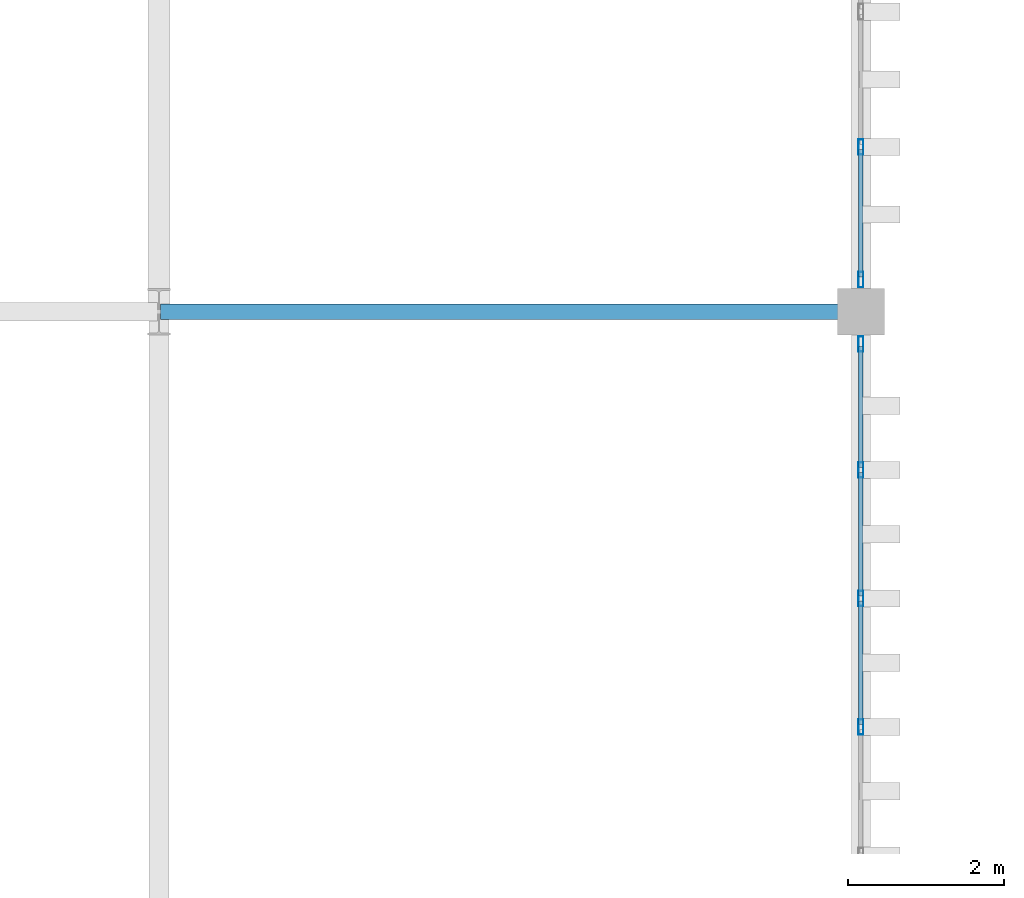
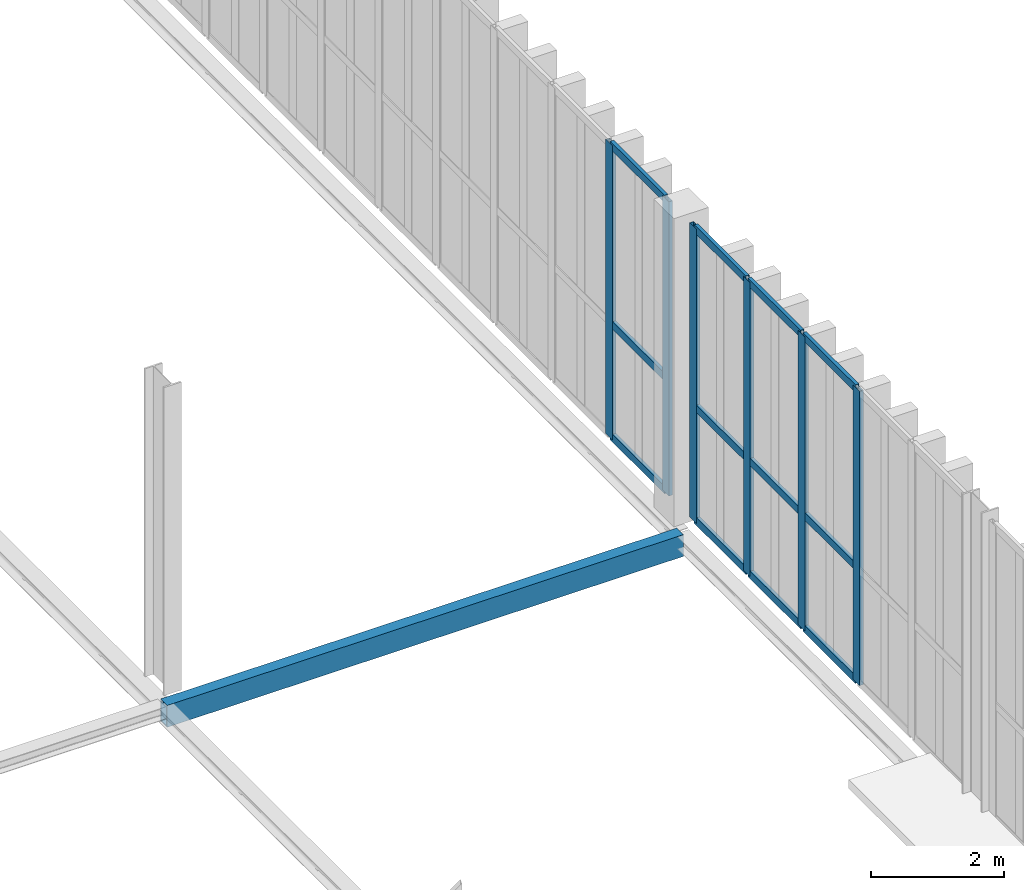
# One storey, part 107 of 237: 18 members, 1 beam, 2 elements without a shape of their own.
"""IFC4 building model written with IfcOpenShell, lengths in metres."""

from ifc_helpers import new_model, si_unit, direction, frame, origin, origin_2d, place, context, subcontext, project, spatial, hollow_rectangle, extrude, material, layer, layer_set, material_profile, profile_set, type_object, element, aggregate, save


model = new_model("IFC4")

# Units and contexts
model_context = context("Model", 3, precision=1e-05, world=origin(), true_north=direction((0.0, 1.0)))
body_context = subcontext(model_context, "Body", "Model", "MODEL_VIEW")
ifc_project = project(units=[si_unit("LENGTHUNIT", "METRE"), si_unit("AREAUNIT", "SQUARE_METRE"), si_unit("VOLUMEUNIT", "CUBIC_METRE"), si_unit("PLANEANGLEUNIT", "RADIAN"), si_unit("MASSUNIT", "GRAM", prefix="KILO")], contexts=[model_context])

# Site, building, storey
site_placement = place(None, origin())
site = spatial("IfcSite", under=ifc_project, at=site_placement, CompositionType="ELEMENT")
building_placement = place(site_placement, origin())
building = spatial("IfcBuilding", under=site, at=building_placement, Name="Barlavento Convention Centre", CompositionType="ELEMENT")
storey_placement = place(building_placement, frame((0.0, 0.0, 12.0)))
storey = spatial("IfcBuildingStorey", under=building, at=storey_placement, Name="L02", CompositionType="ELEMENT", Elevation=12.0)

# Curtain wall, members
ifc_material_1 = material(Name="Powder-coated aluminium and Low-E glass", Category="aluminium")
ifc_layer = layer(ifc_material_1, 0.18505859375)
ifc_layer_set = layer_set([ifc_layer], Name="ARC-CW-EXH-L02")
curtain_wall_type = type_object("IfcCurtainWallType", Name="ARC-CW-EXH-L02", PredefinedType="NOTDEFINED", material=ifc_layer_set)
curtain_wall_1_placement = place(storey_placement, origin())
curtain_wall_1 = element("IfcCurtainWall", 1, at=curtain_wall_1_placement, inside=storey, type_object=curtain_wall_type, Name="L02 unitised curtain wall CW05", PredefinedType="NOTDEFINED")
ifc_material_2 = material(Name="Powder-coated aluminium", Category="aluminium")
ifc_material_profile_1 = material_profile(ifc_material_2, hollow_rectangle(XDim=0.06494140625, YDim=0.199951171875, WallThickness=0.0048828125, at=origin_2d()), Name="AL-MULL 65x200x5")
ifc_profile_set_1 = profile_set([ifc_material_profile_1], Name="Powder-coated aluminium")
member_type_1 = type_object("IfcMemberType", Name="ARC-CWM-65X200", PredefinedType="MULLION", material=ifc_profile_set_1)
member_1_placement = place(storey_placement, frame((126.0, 111.676025390625, 0.10009765625), z_axis=(0.0, 0.0, 1.0), x_axis=(-1.0, 0.0, 0.0)))
member_1 = element("IfcMember", 2, at=member_1_placement, type_object=member_type_1, Name="CW05 mullion 3", PredefinedType="MULLION", context=body_context, shape_type="SweptSolid", body=[
    extrude(hollow_rectangle(XDim=0.06494140625, YDim=0.199951171875, WallThickness=0.0048828125, at=origin_2d()), origin(), (0.0, 0.0, 1.0), 5.39990234375),
])
member_2_placement = place(storey_placement, frame((126.0, 113.323974609375, 0.10009765625), z_axis=(0.0, 0.0, 1.0), x_axis=(-1.0, 0.0, 0.0)))
member_2 = element("IfcMember", 3, at=member_2_placement, type_object=member_type_1, Name="CW05 mullion 4", PredefinedType="MULLION", context=body_context, shape_type="SweptSolid", body=[
    extrude(hollow_rectangle(XDim=0.06494140625, YDim=0.199951171875, WallThickness=0.0048828125, at=origin_2d()), origin(), (0.0, 0.0, 1.0), 5.39990234375),
])
member_3_placement = place(storey_placement, frame((126.0, 114.971923828125, 0.10009765625), z_axis=(0.0, 0.0, 1.0), x_axis=(-1.0, 0.0, 0.0)))
member_3 = element("IfcMember", 4, at=member_3_placement, type_object=member_type_1, Name="CW05 mullion 5", PredefinedType="MULLION", context=body_context, shape_type="SweptSolid", body=[
    extrude(hollow_rectangle(XDim=0.06494140625, YDim=0.199951171875, WallThickness=0.0048828125, at=origin_2d()), origin(), (0.0, 0.0, 1.0), 5.39990234375),
])
member_4_placement = place(storey_placement, frame((126.0, 116.58740234375, 0.10009765625), z_axis=(0.0, 0.0, 1.0), x_axis=(-1.0, 0.0, 0.0)))
member_4 = element("IfcMember", 5, at=member_4_placement, type_object=member_type_1, Name="CW05 mullion 6", PredefinedType="MULLION", context=body_context, shape_type="SweptSolid", body=[
    extrude(hollow_rectangle(XDim=0.06494140625, YDim=0.199951171875, WallThickness=0.0048828125, at=origin_2d()), origin(), (0.0, 0.0, 1.0), 5.39990234375),
])

curtain_wall_2_placement = place(storey_placement, origin())
curtain_wall_2 = element("IfcCurtainWall", 6, at=curtain_wall_2_placement, inside=storey, type_object=curtain_wall_type, Name="L02 unitised curtain wall CW05", PredefinedType="NOTDEFINED")
member_5_placement = place(storey_placement, frame((126.0, 117.41259765625, 0.10009765625), z_axis=(0.0, 0.0, 1.0), x_axis=(-1.0, 0.0, 0.0)))
member_5 = element("IfcMember", 7, at=member_5_placement, type_object=member_type_1, Name="CW05 mullion 1", PredefinedType="MULLION", context=body_context, shape_type="SweptSolid", body=[
    extrude(hollow_rectangle(XDim=0.06494140625, YDim=0.199951171875, WallThickness=0.0048828125, at=origin_2d()), origin(), (0.0, 0.0, 1.0), 5.39990234375),
])
member_6_placement = place(storey_placement, frame((126.0, 119.11376953125, 0.10009765625), z_axis=(0.0, 0.0, 1.0), x_axis=(-1.0, 0.0, 0.0)))
member_6 = element("IfcMember", 8, at=member_6_placement, type_object=member_type_1, Name="CW05 mullion 2", PredefinedType="MULLION", context=body_context, shape_type="SweptSolid", body=[
    extrude(hollow_rectangle(XDim=0.06494140625, YDim=0.199951171875, WallThickness=0.0048828125, at=origin_2d()), origin(), (0.0, 0.0, 1.0), 5.39990234375),
])

# Member
ifc_material_profile_2 = material_profile(ifc_material_2, hollow_rectangle(XDim=0.06005859375, YDim=0.139892578125, WallThickness=0.00390625, at=origin_2d()), Name="AL-TRAN 60x140x4")
ifc_profile_set_2 = profile_set([ifc_material_profile_2], Name="Powder-coated aluminium")
member_type_2 = type_object("IfcMemberType", Name="ARC-CWT-60X140", PredefinedType="USERDEFINED", material=ifc_profile_set_2)
member_7_placement = place(storey_placement, frame((126.0, 111.70849609375, 0.1298828125), z_axis=(0.0, 1.0, 0.0), x_axis=(-1.0, 0.0, 0.0)))
member_7 = element("IfcMember", 9, at=member_7_placement, type_object=member_type_2, Name="CW05 transom 3.1", ObjectType="TRANSOM", PredefinedType="USERDEFINED", context=body_context, shape_type="SweptSolid", body=[
    extrude(hollow_rectangle(XDim=0.06005859375, YDim=0.139892578125, WallThickness=0.00390625, at=origin_2d()), origin(), (0.0, 0.0, 1.0), 1.5830078125),
])

member_8_placement = place(storey_placement, frame((126.0, 111.70849609375, 2.199951171875), z_axis=(0.0, 1.0, 0.0), x_axis=(-1.0, 0.0, 0.0)))
member_8 = element("IfcMember", 10, at=member_8_placement, type_object=member_type_2, Name="CW05 transom 3.2", ObjectType="TRANSOM", PredefinedType="USERDEFINED", context=body_context, shape_type="SweptSolid", body=[
    extrude(hollow_rectangle(XDim=0.06005859375, YDim=0.139892578125, WallThickness=0.00390625, at=origin_2d()), origin(), (0.0, 0.0, 1.0), 1.5830078125),
])

member_9_placement = place(storey_placement, frame((126.0, 111.70849609375, 5.469970703125), z_axis=(0.0, 1.0, 0.0), x_axis=(-1.0, 0.0, 0.0)))
member_9 = element("IfcMember", 11, at=member_9_placement, type_object=member_type_2, Name="CW05 transom 3.3", ObjectType="TRANSOM", PredefinedType="USERDEFINED", context=body_context, shape_type="SweptSolid", body=[
    extrude(hollow_rectangle(XDim=0.06005859375, YDim=0.139892578125, WallThickness=0.00390625, at=origin_2d()), origin(), (0.0, 0.0, 1.0), 1.5830078125),
])

member_10_placement = place(storey_placement, frame((126.0, 113.3564453125, 0.1298828125), z_axis=(0.0, 1.0, 0.0), x_axis=(-1.0, 0.0, 0.0)))
member_10 = element("IfcMember", 12, at=member_10_placement, type_object=member_type_2, Name="CW05 transom 4.1", ObjectType="TRANSOM", PredefinedType="USERDEFINED", context=body_context, shape_type="SweptSolid", body=[
    extrude(hollow_rectangle(XDim=0.06005859375, YDim=0.139892578125, WallThickness=0.00390625, at=origin_2d()), origin(), (0.0, 0.0, 1.0), 1.5830078125),
])

member_11_placement = place(storey_placement, frame((126.0, 113.3564453125, 2.199951171875), z_axis=(0.0, 1.0, 0.0), x_axis=(-1.0, 0.0, 0.0)))
member_11 = element("IfcMember", 13, at=member_11_placement, type_object=member_type_2, Name="CW05 transom 4.2", ObjectType="TRANSOM", PredefinedType="USERDEFINED", context=body_context, shape_type="SweptSolid", body=[
    extrude(hollow_rectangle(XDim=0.06005859375, YDim=0.139892578125, WallThickness=0.00390625, at=origin_2d()), origin(), (0.0, 0.0, 1.0), 1.5830078125),
])

member_12_placement = place(storey_placement, frame((126.0, 113.3564453125, 5.469970703125), z_axis=(0.0, 1.0, 0.0), x_axis=(-1.0, 0.0, 0.0)))
member_12 = element("IfcMember", 14, at=member_12_placement, type_object=member_type_2, Name="CW05 transom 4.3", ObjectType="TRANSOM", PredefinedType="USERDEFINED", context=body_context, shape_type="SweptSolid", body=[
    extrude(hollow_rectangle(XDim=0.06005859375, YDim=0.139892578125, WallThickness=0.00390625, at=origin_2d()), origin(), (0.0, 0.0, 1.0), 1.5830078125),
])

member_13_placement = place(storey_placement, frame((126.0, 115.00439453125, 0.1298828125), z_axis=(0.0, 1.0, 0.0), x_axis=(-1.0, 0.0, 0.0)))
member_13 = element("IfcMember", 15, at=member_13_placement, type_object=member_type_2, Name="CW05 transom 5.1", ObjectType="TRANSOM", PredefinedType="USERDEFINED", context=body_context, shape_type="SweptSolid", body=[
    extrude(hollow_rectangle(XDim=0.06005859375, YDim=0.139892578125, WallThickness=0.00390625, at=origin_2d()), origin(), (0.0, 0.0, 1.0), 1.550537109375),
])

member_14_placement = place(storey_placement, frame((126.0, 115.00439453125, 2.199951171875), z_axis=(0.0, 1.0, 0.0), x_axis=(-1.0, 0.0, 0.0)))
member_14 = element("IfcMember", 16, at=member_14_placement, type_object=member_type_2, Name="CW05 transom 5.2", ObjectType="TRANSOM", PredefinedType="USERDEFINED", context=body_context, shape_type="SweptSolid", body=[
    extrude(hollow_rectangle(XDim=0.06005859375, YDim=0.139892578125, WallThickness=0.00390625, at=origin_2d()), origin(), (0.0, 0.0, 1.0), 1.550537109375),
])

member_15_placement = place(storey_placement, frame((126.0, 115.00439453125, 5.469970703125), z_axis=(0.0, 1.0, 0.0), x_axis=(-1.0, 0.0, 0.0)))
member_15 = element("IfcMember", 17, at=member_15_placement, type_object=member_type_2, Name="CW05 transom 5.3", ObjectType="TRANSOM", PredefinedType="USERDEFINED", context=body_context, shape_type="SweptSolid", body=[
    extrude(hollow_rectangle(XDim=0.06005859375, YDim=0.139892578125, WallThickness=0.00390625, at=origin_2d()), origin(), (0.0, 0.0, 1.0), 1.550537109375),
])

aggregate(curtain_wall_1, [member_1, member_2, member_3, member_4, member_7, member_8, member_9, member_10, member_11, member_12, member_13, member_14, member_15])

member_16_placement = place(storey_placement, frame((126.0, 117.445068359375, 0.1298828125), z_axis=(0.0, 1.0, 0.0), x_axis=(-1.0, 0.0, 0.0)))
member_16 = element("IfcMember", 18, at=member_16_placement, type_object=member_type_2, Name="CW05 transom 1.1", ObjectType="TRANSOM", PredefinedType="USERDEFINED", context=body_context, shape_type="SweptSolid", body=[
    extrude(hollow_rectangle(XDim=0.06005859375, YDim=0.139892578125, WallThickness=0.00390625, at=origin_2d()), origin(), (0.0, 0.0, 1.0), 1.63623046875),
])

member_17_placement = place(storey_placement, frame((126.0, 117.445068359375, 2.199951171875), z_axis=(0.0, 1.0, 0.0), x_axis=(-1.0, 0.0, 0.0)))
member_17 = element("IfcMember", 19, at=member_17_placement, type_object=member_type_2, Name="CW05 transom 1.2", ObjectType="TRANSOM", PredefinedType="USERDEFINED", context=body_context, shape_type="SweptSolid", body=[
    extrude(hollow_rectangle(XDim=0.06005859375, YDim=0.139892578125, WallThickness=0.00390625, at=origin_2d()), origin(), (0.0, 0.0, 1.0), 1.63623046875),
])

member_18_placement = place(storey_placement, frame((126.0, 117.445068359375, 5.469970703125), z_axis=(0.0, 1.0, 0.0), x_axis=(-1.0, 0.0, 0.0)))
member_18 = element("IfcMember", 20, at=member_18_placement, type_object=member_type_2, Name="CW05 transom 1.3", ObjectType="TRANSOM", PredefinedType="USERDEFINED", context=body_context, shape_type="SweptSolid", body=[
    extrude(hollow_rectangle(XDim=0.06005859375, YDim=0.139892578125, WallThickness=0.00390625, at=origin_2d()), origin(), (0.0, 0.0, 1.0), 1.63623046875),
])

aggregate(curtain_wall_2, [member_5, member_6, member_16, member_17, member_18])

# Beam
ifc_material_3 = material(Name="Steel S355", Category="steel")
ifc_material_profile_3 = material_profile(ifc_material_3, hollow_rectangle(XDim=0.199951171875, YDim=0.39990234375, WallThickness=0.01611328125, at=origin_2d()), Name="RHS 400x200x16.0")
ifc_profile_set_3 = profile_set([ifc_material_profile_3], Name="Steel S355")
beam_type = type_object("IfcBeamType", Name="STR-BM-SPN-RHS400", PredefinedType="SPANDREL", material=ifc_profile_set_3)
beam_placement = place(storey_placement, frame((117.02001953125, 117.0, -0.56005859375), z_axis=(1.0, 0.0, 0.0), x_axis=(0.0, 1.0, 0.0)))
element("IfcBeam", 21, at=beam_placement, inside=storey, type_object=beam_type, Name="L02 primary girder SP06", PredefinedType="SPANDREL", context=body_context, shape_type="SweptSolid", body=[
    extrude(hollow_rectangle(XDim=0.199951171875, YDim=0.39990234375, WallThickness=0.01611328125, at=origin_2d()), origin(), (0.0, 0.0, 1.0), 8.9599609375),
])

save(model, "model.ifc")
